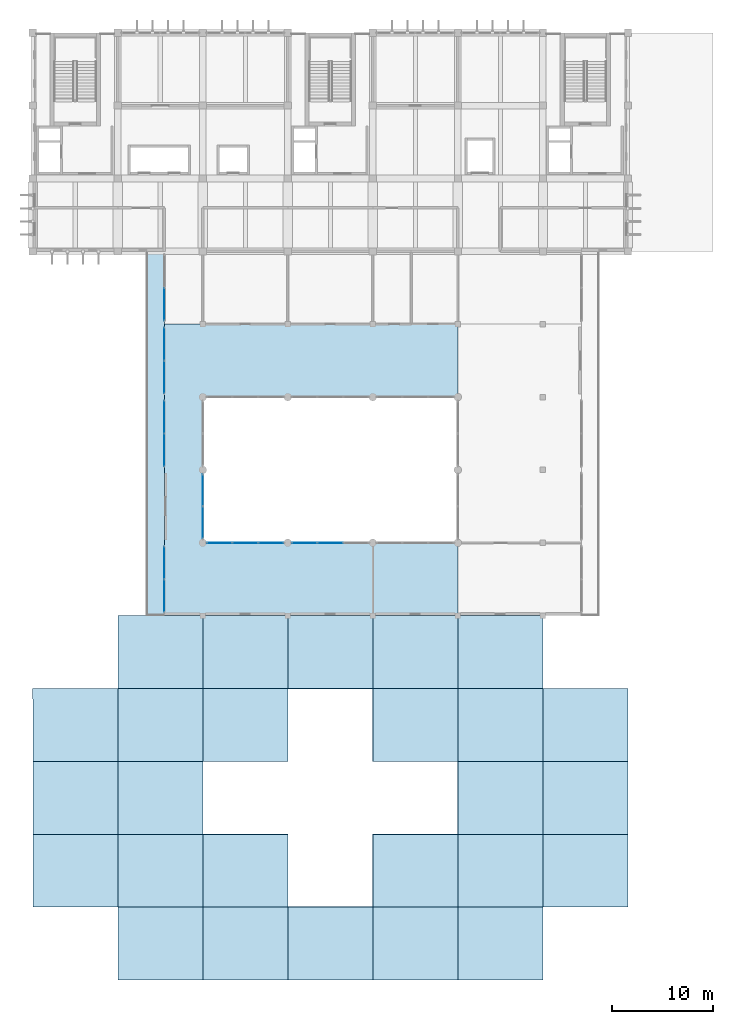
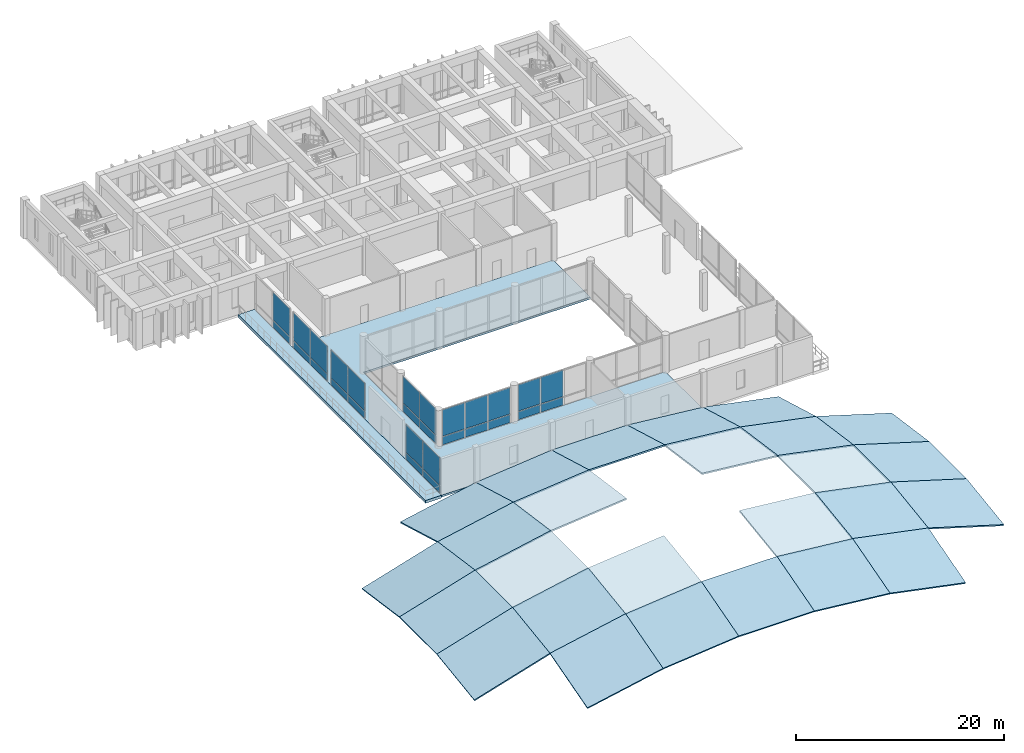
# One storey, part 8 of 17: 28 plates, 28 slabs, 7 elements without a shape of their own.
"""IFC4 building model written with IfcOpenShell, lengths in metres."""

from ifc_helpers import new_model, si_unit, direction, frame, origin, origin_2d, place, context, subcontext, project, spatial, polyline, rectangle, outline, extrude, material, layer, layer_set, type_object, element, aggregate, save


model = new_model("IFC4")

# Units and contexts
model_context = context("Model", 3, precision=1e-05, world=origin(), true_north=direction((0.0, 1.0)))
body_context = subcontext(model_context, "Body", "Model", "MODEL_VIEW")
ifc_project = project(units=[si_unit("LENGTHUNIT", "METRE"), si_unit("AREAUNIT", "SQUARE_METRE"), si_unit("VOLUMEUNIT", "CUBIC_METRE"), si_unit("PLANEANGLEUNIT", "RADIAN"), si_unit("MASSUNIT", "GRAM", prefix="KILO")], contexts=[model_context])

# Site, building, storey
site_placement = place(None, origin())
site = spatial("IfcSite", under=ifc_project, at=site_placement, CompositionType="ELEMENT")
building_placement = place(site_placement, origin())
building = spatial("IfcBuilding", under=site, at=building_placement, Name="Kenerak Square Central Library", CompositionType="ELEMENT")
storey_placement = place(building_placement, frame((0.0, 0.0, 23.360107421875)))
storey = spatial("IfcBuildingStorey", under=building, at=storey_placement, Name="L05", CompositionType="ELEMENT", Elevation=23.360107421875)

# Curtain wall, plates
ifc_material_1 = material(Name="Intumescent fire-resisting glazing EI 60", Category="glass")
curtain_wall_type_1 = type_object("IfcCurtainWallType", Name="Curtain Wall CW-AT60-76x42 7650x4255", PredefinedType="USERDEFINED", material=ifc_material_1)
curtain_wall_1_placement = place(storey_placement, origin())
curtain_wall_1 = element("IfcCurtainWall", 1, at=curtain_wall_1_placement, inside=storey, type_object=curtain_wall_type_1, Name="Atrium Fire-Rated Glazed Screen CW-AT60-76x42 L05 0187", ObjectType="CURTAIN WALL", PredefinedType="USERDEFINED")
ifc_layer_1 = layer(ifc_material_1, 0.0419921875)
ifc_layer_set_1 = layer_set([ifc_layer_1], Name="Intumescent fire-resisting glazing EI 60")
plate_type_1 = type_object("IfcPlateType", Name="Fire-Rated EI60 Atrium Glazing Panel CP-42", PredefinedType="CURTAIN_PANEL", material=ifc_layer_set_1)
plate_1_placement = place(storey_placement, frame((76.867431640625, 60.0, 0.06982421875), z_axis=(0.0, 0.0, 1.0), x_axis=(1.0, 0.0, 0.0)))
plate_1 = element("IfcPlate", 2, at=plate_1_placement, type_object=plate_type_1, Name="CW-AT60-76x42 Panel 1.1", PredefinedType="CURTAIN_PANEL", context=body_context, shape_type="SweptSolid", body=[
    extrude(rectangle(XDim=2.445068359375, YDim=0.0419921875, at=origin_2d()), origin(), (0.0, 0.0, 1.0), 0.945068359375),
])
plate_2_placement = place(storey_placement, frame((76.867431640625, 60.0, 1.0849609375), z_axis=(0.0, 0.0, 1.0), x_axis=(1.0, 0.0, 0.0)))
plate_2 = element("IfcPlate", 3, at=plate_2_placement, type_object=plate_type_1, Name="CW-AT60-76x42 Panel 1.2", PredefinedType="CURTAIN_PANEL", context=body_context, shape_type="SweptSolid", body=[
    extrude(rectangle(XDim=2.445068359375, YDim=0.0419921875, at=origin_2d()), origin(), (0.0, 0.0, 1.0), 3.10009765625),
])
plate_3_placement = place(storey_placement, frame((79.39990234375, 60.0, 0.06982421875), z_axis=(0.0, 0.0, 1.0), x_axis=(1.0, 0.0, 0.0)))
plate_3 = element("IfcPlate", 4, at=plate_3_placement, type_object=plate_type_1, Name="CW-AT60-76x42 Panel 2.1", PredefinedType="CURTAIN_PANEL", context=body_context, shape_type="SweptSolid", body=[
    extrude(rectangle(XDim=2.47998046875, YDim=0.0419921875, at=origin_2d()), origin(), (0.0, 0.0, 1.0), 0.945068359375),
])
plate_4_placement = place(storey_placement, frame((79.39990234375, 60.0, 1.0849609375), z_axis=(0.0, 0.0, 1.0), x_axis=(1.0, 0.0, 0.0)))
plate_4 = element("IfcPlate", 5, at=plate_4_placement, type_object=plate_type_1, Name="CW-AT60-76x42 Panel 2.2", PredefinedType="CURTAIN_PANEL", context=body_context, shape_type="SweptSolid", body=[
    extrude(rectangle(XDim=2.47998046875, YDim=0.0419921875, at=origin_2d()), origin(), (0.0, 0.0, 1.0), 3.10009765625),
])
plate_5_placement = place(storey_placement, frame((81.9326171875, 60.0, 0.06982421875), z_axis=(0.0, 0.0, 1.0), x_axis=(1.0, 0.0, 0.0)))
plate_5 = element("IfcPlate", 6, at=plate_5_placement, type_object=plate_type_1, Name="CW-AT60-76x42 Panel 3.1", PredefinedType="CURTAIN_PANEL", context=body_context, shape_type="SweptSolid", body=[
    extrude(rectangle(XDim=2.445068359375, YDim=0.0419921875, at=origin_2d()), origin(), (0.0, 0.0, 1.0), 0.945068359375),
])
plate_6_placement = place(storey_placement, frame((81.9326171875, 60.0, 1.0849609375), z_axis=(0.0, 0.0, 1.0), x_axis=(1.0, 0.0, 0.0)))
plate_6 = element("IfcPlate", 7, at=plate_6_placement, type_object=plate_type_1, Name="CW-AT60-76x42 Panel 3.2", PredefinedType="CURTAIN_PANEL", context=body_context, shape_type="SweptSolid", body=[
    extrude(rectangle(XDim=2.445068359375, YDim=0.0419921875, at=origin_2d()), origin(), (0.0, 0.0, 1.0), 3.10009765625),
])
aggregate(curtain_wall_1, [plate_1, plate_2, plate_3, plate_4, plate_5, plate_6])

curtain_wall_2_placement = place(storey_placement, origin())
curtain_wall_2 = element("IfcCurtainWall", 8, at=curtain_wall_2_placement, inside=storey, type_object=curtain_wall_type_1, Name="Atrium Fire-Rated Glazed Screen CW-AT60-76x42 L05 0188", ObjectType="CURTAIN WALL", PredefinedType="USERDEFINED")
plate_7_placement = place(storey_placement, frame((85.267578125, 60.0, 0.06982421875), z_axis=(0.0, 0.0, 1.0), x_axis=(1.0, 0.0, 0.0)))
plate_7 = element("IfcPlate", 9, at=plate_7_placement, type_object=plate_type_1, Name="CW-AT60-76x42 Panel 1.1", PredefinedType="CURTAIN_PANEL", context=body_context, shape_type="SweptSolid", body=[
    extrude(rectangle(XDim=2.445068359375, YDim=0.0419921875, at=origin_2d()), origin(), (0.0, 0.0, 1.0), 0.945068359375),
])
plate_8_placement = place(storey_placement, frame((85.267578125, 60.0, 1.0849609375), z_axis=(0.0, 0.0, 1.0), x_axis=(1.0, 0.0, 0.0)))
plate_8 = element("IfcPlate", 10, at=plate_8_placement, type_object=plate_type_1, Name="CW-AT60-76x42 Panel 1.2", PredefinedType="CURTAIN_PANEL", context=body_context, shape_type="SweptSolid", body=[
    extrude(rectangle(XDim=2.445068359375, YDim=0.0419921875, at=origin_2d()), origin(), (0.0, 0.0, 1.0), 3.10009765625),
])
plate_9_placement = place(storey_placement, frame((87.800048828125, 60.0, 0.06982421875), z_axis=(0.0, 0.0, 1.0), x_axis=(1.0, 0.0, 0.0)))
plate_9 = element("IfcPlate", 11, at=plate_9_placement, type_object=plate_type_1, Name="CW-AT60-76x42 Panel 2.1", PredefinedType="CURTAIN_PANEL", context=body_context, shape_type="SweptSolid", body=[
    extrude(rectangle(XDim=2.47998046875, YDim=0.0419921875, at=origin_2d()), origin(), (0.0, 0.0, 1.0), 0.945068359375),
])
plate_10_placement = place(storey_placement, frame((87.800048828125, 60.0, 1.0849609375), z_axis=(0.0, 0.0, 1.0), x_axis=(1.0, 0.0, 0.0)))
plate_10 = element("IfcPlate", 12, at=plate_10_placement, type_object=plate_type_1, Name="CW-AT60-76x42 Panel 2.2", PredefinedType="CURTAIN_PANEL", context=body_context, shape_type="SweptSolid", body=[
    extrude(rectangle(XDim=2.47998046875, YDim=0.0419921875, at=origin_2d()), origin(), (0.0, 0.0, 1.0), 3.10009765625),
])
aggregate(curtain_wall_2, [plate_7, plate_8, plate_9, plate_10])

curtain_wall_type_2 = type_object("IfcCurtainWallType", Name="Curtain Wall CW-AT60-64x42 6450x4255", PredefinedType="USERDEFINED", material=ifc_material_1)
curtain_wall_3_placement = place(storey_placement, origin())
curtain_wall_3 = element("IfcCurtainWall", 13, at=curtain_wall_3_placement, inside=storey, type_object=curtain_wall_type_2, Name="Atrium Fire-Rated Glazed Screen CW-AT60-64x42 L05 0196", ObjectType="CURTAIN WALL", PredefinedType="USERDEFINED")
plate_11_placement = place(storey_placement, frame((75.199951171875, 65.195068359375, 0.06982421875), z_axis=(0.0, 0.0, 1.0), x_axis=(0.0, -1.0, 0.0)))
plate_11 = element("IfcPlate", 14, at=plate_11_placement, type_object=plate_type_1, Name="CW-AT60-64x42 Panel 1.1", PredefinedType="CURTAIN_PANEL", context=body_context, shape_type="SweptSolid", body=[
    extrude(rectangle(XDim=3.1201171875, YDim=0.0419921875, at=origin_2d()), origin(), (0.0, 0.0, 1.0), 0.945068359375),
])
plate_12_placement = place(storey_placement, frame((75.199951171875, 65.195068359375, 1.0849609375), z_axis=(0.0, 0.0, 1.0), x_axis=(0.0, -1.0, 0.0)))
plate_12 = element("IfcPlate", 15, at=plate_12_placement, type_object=plate_type_1, Name="CW-AT60-64x42 Panel 1.2", PredefinedType="CURTAIN_PANEL", context=body_context, shape_type="SweptSolid", body=[
    extrude(rectangle(XDim=3.1201171875, YDim=0.0419921875, at=origin_2d()), origin(), (0.0, 0.0, 1.0), 3.10009765625),
])
plate_13_placement = place(storey_placement, frame((75.199951171875, 62.0048828125, 0.06982421875), z_axis=(0.0, 0.0, 1.0), x_axis=(0.0, -1.0, 0.0)))
plate_13 = element("IfcPlate", 16, at=plate_13_placement, type_object=plate_type_1, Name="CW-AT60-64x42 Panel 2.1", PredefinedType="CURTAIN_PANEL", context=body_context, shape_type="SweptSolid", body=[
    extrude(rectangle(XDim=3.1201171875, YDim=0.0419921875, at=origin_2d()), origin(), (0.0, 0.0, 1.0), 0.945068359375),
])
plate_14_placement = place(storey_placement, frame((75.199951171875, 62.0048828125, 1.0849609375), z_axis=(0.0, 0.0, 1.0), x_axis=(0.0, -1.0, 0.0)))
plate_14 = element("IfcPlate", 17, at=plate_14_placement, type_object=plate_type_1, Name="CW-AT60-64x42 Panel 2.2", PredefinedType="CURTAIN_PANEL", context=body_context, shape_type="SweptSolid", body=[
    extrude(rectangle(XDim=3.1201171875, YDim=0.0419921875, at=origin_2d()), origin(), (0.0, 0.0, 1.0), 3.10009765625),
])
aggregate(curtain_wall_3, [plate_11, plate_12, plate_13, plate_14])

# Slabs
ifc_material_2 = material(Name="Concrete C40/50", Category="concrete")
ifc_layer_2 = layer(ifc_material_2, 0.22509765625)
ifc_layer_set_2 = layer_set([ifc_layer_2], Name="Concrete C40/50")
slab_type_1 = type_object("IfcSlabType", Name="General Reading Room Slab FS-225 C40/50", PredefinedType="FLOOR", material=ifc_layer_set_2)
slab_1_placement = place(storey_placement, frame((0.0, 0.0, -0.22509765625)))
element("IfcSlab", 18, at=slab_1_placement, inside=storey, type_object=slab_type_1, Name="V4 Floor Slab L05 056", PredefinedType="FLOOR", context=body_context, shape_type="SweptSolid", body=[
    extrude(outline(polyline([(100.39990234375, 52.800048828125), (71.39990234375, 52.800048828125), (71.39990234375, 81.60009765625), (100.39990234375, 81.60009765625), (100.39990234375, 74.39990234375), (75.199951171875, 74.39990234375), (75.199951171875, 60.0), (100.39990234375, 60.0), (100.39990234375, 52.800048828125)])), origin(), (0.0, 0.0, 1.0), 0.22509765625),
])
ifc_material_3 = material(Name="Steel S355", Category="steel")
ifc_layer_3 = layer(ifc_material_3, 0.159912109375)
ifc_layer_set_3 = layer_set([ifc_layer_3], Name="Steel S355")
slab_type_2 = type_object("IfcSlabType", Name="Gridshell Insulated Planar Roof Panel RS-160 S355", PredefinedType="ROOF", material=ifc_layer_set_3)
slab_2_placement = place(storey_placement, frame((58.39990234375, 24.0, -2.01220703125), z_axis=(-0.287512685456, -0.134867132813, 0.948233785619), x_axis=(0.956976952027, 1.778462e-06, 0.290163942084)))
element("IfcSlab", 19, at=slab_2_placement, inside=storey, type_object=slab_type_2, Name="Gridshell Roof Panel 1-2", PredefinedType="ROOF", context=body_context, shape_type="SweptSolid", body=[
    extrude(outline(polyline([(0.0, 0.0), (8.777828709999847, -1.1102230246251565e-16), (9.074947855925817, 7.266322390495655), (0.29718998673214375, 7.266353900316543), (0.0, 0.0)])), origin(), (0.0, 0.0, -1.0), 0.159912109375),
])
slab_3_placement = place(storey_placement, frame((58.39990234375, 31.199951171875, -0.988037109375), z_axis=(-0.29015097451, 0.0, 0.956980883817), x_axis=(0.956980883817, 0.0, 0.29015097451)))
element("IfcSlab", 20, at=slab_3_placement, inside=storey, type_object=slab_type_2, Name="Gridshell Roof Panel 1-3", PredefinedType="ROOF", context=body_context, shape_type="SweptSolid", body=[
    extrude(outline(polyline([(0.0, 0.0), (8.777757870013428, 0.0), (8.777757870013428, 7.199951171875), (0.0, 7.199951171875), (0.0, 0.0)])), origin(), (0.0, 0.0, -1.0), 0.159912109375),
])
slab_4_placement = place(storey_placement, frame((58.39990234375, 38.39990234375, -0.988037109375), z_axis=(-0.287512862776, 0.13486264298, 0.948234370431), x_axis=(0.956977092501, 1.778418e-06, 0.290163478791)))
element("IfcSlab", 21, at=slab_4_placement, inside=storey, type_object=slab_type_2, Name="Gridshell Roof Panel 1-4", PredefinedType="ROOF", context=body_context, shape_type="SweptSolid", body=[
    extrude(outline(polyline([(0.0, 0.0), (8.77775786925023, -5.551115123125783e-17), (8.480664807494872, 7.2665653676901485), (-0.29716390244842233, 7.266596876716341), (0.0, 0.0)])), origin(), (0.0, 0.0, -1.0), 0.159912109375),
])
slab_5_placement = place(storey_placement, frame((66.800048828125, 16.800048828125, -1.51318359375), z_axis=(-0.190857452976, -0.268575794869, 0.944161254794), x_axis=(0.980174274695, 0.0, 0.198137303973)))
element("IfcSlab", 22, at=slab_5_placement, inside=storey, type_object=slab_type_2, Name="Gridshell Roof Panel 2-1", PredefinedType="ROOF", context=body_context, shape_type="SweptSolid", body=[
    extrude(outline(polyline([(0.0, 0.0), (8.569804942455113, 5.551115123125783e-17), (8.975609103351571, 7.474577972671261), (0.40580416089645976, 7.474577972671261), (0.0, 0.0)])), origin(), (0.0, 0.0, -1.0), 0.159912109375),
])
slab_6_placement = place(storey_placement, frame((66.800048828125, 24.0, 0.534912109375), z_axis=(-0.196239953948, -0.138058582798, 0.970788189149), x_axis=(0.980174274695, 0.0, 0.198137303973)))
element("IfcSlab", 23, at=slab_6_placement, inside=storey, type_object=slab_type_2, Name="Gridshell Roof Panel 2-2", PredefinedType="ROOF", context=body_context, shape_type="SweptSolid", body=[
    extrude(outline(polyline([(0.0, 0.0), (8.569804942455113, -2.7755575615628914e-17), (8.772682836220728, 7.269564047665709), (0.20287789376561596, 7.269564047665709), (0.0, 0.0)])), origin(), (0.0, 0.0, -1.0), 0.159912109375),
])
slab_7_placement = place(storey_placement, frame((66.800048828125, 31.199951171875, 1.558837890625), z_axis=(-0.198137303973, 0.0, 0.980174274695), x_axis=(0.980174274695, 0.0, 0.198137303973)))
element("IfcSlab", 24, at=slab_7_placement, inside=storey, type_object=slab_type_2, Name="Gridshell Roof Panel 2-3", PredefinedType="ROOF", context=body_context, shape_type="SweptSolid", body=[
    extrude(outline(polyline([(0.0, 0.0), (8.569804942455113, 0.0), (8.569804942455113, 7.199951171875), (0.0, 7.199951171875), (0.0, 0.0)])), origin(), (0.0, 0.0, -1.0), 0.159912109375),
])
slab_8_placement = place(storey_placement, frame((66.800048828125, 38.39990234375, 1.558837890625), z_axis=(-0.196240080772, 0.138053990797, 0.970788816542), x_axis=(0.980174274695, 0.0, 0.198137303973)))
element("IfcSlab", 25, at=slab_8_placement, inside=storey, type_object=slab_type_2, Name="Gridshell Roof Panel 2-4", PredefinedType="ROOF", context=body_context, shape_type="SweptSolid", body=[
    extrude(outline(polyline([(0.0, 0.0), (8.569804942455113, 2.7755575615628914e-17), (8.366927048689496, 7.26980585049399), (-0.20287789376561596, 7.26980585049399), (0.0, 0.0)])), origin(), (0.0, 0.0, -1.0), 0.159912109375),
])
slab_9_placement = place(storey_placement, frame((66.800048828125, 45.60009765625, 0.534912109375), z_axis=(-0.190857452976, 0.268575794869, 0.944161254794), x_axis=(0.980174274695, 0.0, 0.198137303973)))
element("IfcSlab", 26, at=slab_9_placement, inside=storey, type_object=slab_type_2, Name="Gridshell Roof Panel 2-5", PredefinedType="ROOF", context=body_context, shape_type="SweptSolid", body=[
    extrude(outline(polyline([(0.0, 0.0), (8.569804942455113, -5.551115123125783e-17), (8.164000781558652, 7.47457797267126), (-0.40580416089645976, 7.474577972671261), (0.0, 0.0)])), origin(), (0.0, 0.0, -1.0), 0.159912109375),
])
slab_10_placement = place(storey_placement, frame((75.199951171875, 16.800048828125, 0.184814453125), z_axis=(-0.096743044553, -0.272321896402, 0.957330438287), x_axis=(0.994932719565, 0.0, 0.100542943759)))
element("IfcSlab", 27, at=slab_10_placement, inside=storey, type_object=slab_type_2, Name="Gridshell Roof Panel 3-1", PredefinedType="ROOF", context=body_context, shape_type="SweptSolid", body=[
    extrude(outline(polyline([(0.0, 0.0), (8.442929174196857, -2.7755575615628914e-17), (8.648850745289812, 7.482752781771017), (0.2059215710929541, 7.482752781771016), (0.0, 0.0)])), origin(), (0.0, 0.0, -1.0), 0.159912109375),
])
slab_11_placement = place(storey_placement, frame((75.199951171875, 24.0, 2.23291015625), z_axis=(-0.099551370021, -0.140096822381, 0.985120502825), x_axis=(0.994932719565, 0.0, 0.100542943759)))
element("IfcSlab", 28, at=slab_11_placement, inside=storey, type_object=slab_type_2, Name="Gridshell Roof Panel 3-2", PredefinedType="ROOF", context=body_context, shape_type="SweptSolid", body=[
    extrude(outline(polyline([(0.0, 0.0), (8.442929174196857, -1.3877787807814457e-17), (8.545877686434771, 7.271665729853141), (0.10294851223791268, 7.27166572985314), (0.0, 0.0)])), origin(), (0.0, 0.0, -1.0), 0.159912109375),
])
slab_12_placement = place(storey_placement, frame((75.199951171875, 38.39990234375, 3.2568359375), z_axis=(-0.099551436272, 0.140092165279, 0.985121158418), x_axis=(0.994932719565, 0.0, 0.100542943759)))
element("IfcSlab", 29, at=slab_12_placement, inside=storey, type_object=slab_type_2, Name="Gridshell Roof Panel 3-4", PredefinedType="ROOF", context=body_context, shape_type="SweptSolid", body=[
    extrude(outline(polyline([(0.0, 0.0), (8.442929174196857, 1.3877787807814457e-17), (8.339980661958945, 7.2719074627970475), (-0.10294851223791268, 7.2719074627970475), (0.0, 0.0)])), origin(), (0.0, 0.0, -1.0), 0.159912109375),
])
slab_13_placement = place(storey_placement, frame((75.199951171875, 45.60009765625, 2.23291015625), z_axis=(-0.096743044553, 0.272321896402, 0.957330438287), x_axis=(0.994932719565, 0.0, 0.100542943759)))
element("IfcSlab", 30, at=slab_13_placement, inside=storey, type_object=slab_type_2, Name="Gridshell Roof Panel 3-5", PredefinedType="ROOF", context=body_context, shape_type="SweptSolid", body=[
    extrude(outline(polyline([(0.0, 0.0), (8.442929174196857, 2.7755575615628914e-17), (8.237007603103903, 7.482752781771016), (-0.2059215710929541, 7.482752781771016), (0.0, 0.0)])), origin(), (0.0, 0.0, -1.0), 0.159912109375),
])
for number, where, z_axis, x_axis, name in (
    (31, (83.60009765625, 16.800048828125, 1.03369140625), (0.0, -0.273605271819, 0.96184206356), (1.0, 0.0, 0.0), "Gridshell Roof Panel 4-1"),
    (32, (83.60009765625, 45.60009765625, 3.081787109375), (0.0, 0.273605271819, 0.96184206356), (1.0, 0.0, 0.0), "Gridshell Roof Panel 4-5"),
):
    element("IfcSlab", number, at=place(storey_placement, frame(where, z_axis=z_axis, x_axis=x_axis)), inside=storey, type_object=slab_type_2, Name=name, PredefinedType="ROOF", context=body_context, shape_type="SweptSolid", body=[
        extrude(outline(polyline([(0.0, 0.0), (8.39990234375, 0.0), (8.39990234375, 7.48558567425043), (0.0, 7.48558567425043), (0.0, 0.0)])), origin(), (0.0, 0.0, -1.0), 0.159912109375),
    ])
slab_14_placement = place(storey_placement, frame((92.0, 16.800048828125, 1.03369140625), z_axis=(0.096745830043, -0.272321822323, 0.957330177868), x_axis=(0.994932427238, 0.0, -0.100545836468)))
element("IfcSlab", 33, at=slab_14_placement, inside=storey, type_object=slab_type_2, Name="Gridshell Roof Panel 5-1", PredefinedType="ROOF", context=body_context, shape_type="SweptSolid", body=[
    extrude(outline(polyline([(0.0, 0.0), (8.442686270736557, 0.0), (8.23675877510009, 7.482752618728229), (-0.20592749563646615, 7.482752618728229), (0.0, 0.0)])), origin(), (0.0, 0.0, -1.0), 0.159912109375),
])
slab_15_placement = place(storey_placement, frame((92.0, 24.0, 3.081787109375), z_axis=(0.099554234775, -0.140096782027, 0.985120219062), x_axis=(0.994932427238, 0.0, -0.100545836468)))
element("IfcSlab", 34, at=slab_15_placement, inside=storey, type_object=slab_type_2, Name="Gridshell Roof Panel 5-2", PredefinedType="ROOF", context=body_context, shape_type="SweptSolid", body=[
    extrude(outline(polyline([(0.0, 0.0), (8.442686270736557, -1.3877787807814457e-17), (8.339734796580002, 7.271665687919214), (-0.1029514741565549, 7.271665687919214), (0.0, 0.0)])), origin(), (0.0, 0.0, -1.0), 0.159912109375),
])
slab_16_placement = place(storey_placement, frame((92.0, 38.39990234375, 4.105712890625), z_axis=(0.099554301028, 0.140092124925, 0.985120874655), x_axis=(0.994932427238, 0.0, -0.100545836468)))
element("IfcSlab", 35, at=slab_16_placement, inside=storey, type_object=slab_type_2, Name="Gridshell Roof Panel 5-4", PredefinedType="ROOF", context=body_context, shape_type="SweptSolid", body=[
    extrude(outline(polyline([(0.0, 0.0), (8.442686270736557, 1.3877787807814457e-17), (8.545637744893112, 7.2719074208645145), (0.1029514741565549, 7.2719074208645145), (0.0, 0.0)])), origin(), (0.0, 0.0, -1.0), 0.159912109375),
])
slab_17_placement = place(storey_placement, frame((92.0, 45.60009765625, 3.081787109375), z_axis=(0.096745830043, 0.272321822323, 0.957330177868), x_axis=(0.994932427238, 0.0, -0.100545836468)))
element("IfcSlab", 36, at=slab_17_placement, inside=storey, type_object=slab_type_2, Name="Gridshell Roof Panel 5-5", PredefinedType="ROOF", context=body_context, shape_type="SweptSolid", body=[
    extrude(outline(polyline([(0.0, 0.0), (8.442686270736557, 0.0), (8.648613766373023, 7.48275261872823), (0.20592749563646615, 7.482752618728229), (0.0, 0.0)])), origin(), (0.0, 0.0, -1.0), 0.159912109375),
])
slab_18_placement = place(storey_placement, frame((100.39990234375, 16.800048828125, 0.184814453125), z_axis=(0.190852107975, -0.268576079205, 0.944162254361), x_axis=(0.98017539306, 0.0, -0.198131771405)))
element("IfcSlab", 37, at=slab_18_placement, inside=storey, type_object=slab_type_2, Name="Gridshell Roof Panel 6-1", PredefinedType="ROOF", context=body_context, shape_type="SweptSolid", body=[
    extrude(outline(polyline([(0.0, 0.0), (8.570044242951665, -5.551115123125783e-17), (8.164251413284596, 7.474578587849223), (-0.4057928296670689, 7.474578587849222), (0.0, 0.0)])), origin(), (0.0, 0.0, -1.0), 0.159912109375),
])
slab_19_placement = place(storey_placement, frame((100.39990234375, 24.0, 2.23291015625), z_axis=(0.196234470091, -0.138058737318, 0.970789275692), x_axis=(0.98017539306, 0.0, -0.198131771405)))
element("IfcSlab", 38, at=slab_19_placement, inside=storey, type_object=slab_type_2, Name="Gridshell Roof Panel 6-2", PredefinedType="ROOF", context=body_context, shape_type="SweptSolid", body=[
    extrude(outline(polyline([(0.0, 0.0), (8.570044242951665, 0.0), (8.367172014125384, 7.269564205759771), (-0.2028722288262829, 7.26956420575977), (0.0, 0.0)])), origin(), (0.0, 0.0, -1.0), 0.159912109375),
])
slab_20_placement = place(storey_placement, frame((100.39990234375, 31.199951171875, 3.2568359375), z_axis=(0.198131771405, 0.0, 0.98017539306), x_axis=(0.98017539306, 0.0, -0.198131771405)))
element("IfcSlab", 39, at=slab_20_placement, inside=storey, type_object=slab_type_2, Name="Gridshell Roof Panel 6-3", PredefinedType="ROOF", context=body_context, shape_type="SweptSolid", body=[
    extrude(outline(polyline([(0.0, 0.0), (8.570044242951665, 0.0), (8.570044242951665, 7.199951171875), (0.0, 7.199951171875), (0.0, 0.0)])), origin(), (0.0, 0.0, -1.0), 0.159912109375),
])
slab_21_placement = place(storey_placement, frame((100.39990234375, 38.39990234375, 3.2568359375), z_axis=(0.196234596913, 0.138054145312, 0.970789903087), x_axis=(0.98017539306, 0.0, -0.198131771405)))
element("IfcSlab", 40, at=slab_21_placement, inside=storey, type_object=slab_type_2, Name="Gridshell Roof Panel 6-4", PredefinedType="ROOF", context=body_context, shape_type="SweptSolid", body=[
    extrude(outline(polyline([(0.0, 0.0), (8.570044242951665, 2.7755575615628914e-17), (8.772916471777949, 7.269806008582792), (0.2028722288262829, 7.269806008582792), (0.0, 0.0)])), origin(), (0.0, 0.0, -1.0), 0.159912109375),
])
slab_22_placement = place(storey_placement, frame((100.39990234375, 45.60009765625, 2.23291015625), z_axis=(0.190852107975, 0.268576079205, 0.944162254361), x_axis=(0.98017539306, 0.0, -0.198131771405)))
element("IfcSlab", 41, at=slab_22_placement, inside=storey, type_object=slab_type_2, Name="Gridshell Roof Panel 6-5", PredefinedType="ROOF", context=body_context, shape_type="SweptSolid", body=[
    extrude(outline(polyline([(0.0, 0.0), (8.570044242951665, 5.551115123125783e-17), (8.975837072618734, 7.474578587849222), (0.4057928296670689, 7.474578587849222), (0.0, 0.0)])), origin(), (0.0, 0.0, -1.0), 0.159912109375),
])
slab_23_placement = place(storey_placement, frame((108.800048828125, 24.0, 0.534912109375), z_axis=(0.287520351122, -0.134866808779, 0.948231507376), x_axis=(0.956974610178, -1.7785e-06, -0.29017166552)))
element("IfcSlab", 42, at=slab_23_placement, inside=storey, type_object=slab_type_2, Name="Gridshell Roof Panel 7-2", PredefinedType="ROOF", context=body_context, shape_type="SweptSolid", body=[
    extrude(outline(polyline([(0.0, 0.0), (8.777595074260189, -5.551115123125783e-17), (8.480397177137801, 7.266353576781506), (-0.29712705443060944, 7.26632206711344), (0.0, 0.0)])), origin(), (0.0, 0.0, -1.0), 0.159912109375),
])
slab_24_placement = place(storey_placement, frame((108.800048828125, 31.199951171875, 1.558837890625), z_axis=(0.290158697666, 0.0, 0.956978542167), x_axis=(0.956978542167, 0.0, -0.290158697666)))
element("IfcSlab", 43, at=slab_24_placement, inside=storey, type_object=slab_type_2, Name="Gridshell Roof Panel 7-3", PredefinedType="ROOF", context=body_context, shape_type="SweptSolid", body=[
    extrude(outline(polyline([(0.0, 0.0), (8.777524232388183, 0.0), (8.777524232388183, 7.199951171875002), (0.0, 7.199951171875002), (0.0, 0.0)])), origin(), (0.0, 0.0, -1.0), 0.159912109375),
])
slab_25_placement = place(storey_placement, frame((108.800048828125, 38.39990234375, 1.558837890625), z_axis=(0.287520528446, 0.134862318957, 0.948232092184), x_axis=(0.956974750659, -1.778457e-06, -0.290171202219)))
element("IfcSlab", 44, at=slab_25_placement, inside=storey, type_object=slab_type_2, Name="Gridshell Roof Panel 7-4", PredefinedType="ROOF", context=body_context, shape_type="SweptSolid", body=[
    extrude(outline(polyline([(0.0, 0.0), (8.777524231624966, 0.0), (9.074696043897, 7.266596553243691), (0.2971009696933669, 7.266565044370302), (0.0, 0.0)])), origin(), (0.0, 0.0, -1.0), 0.159912109375),
])

# Curtain wall, plates
ifc_material_4 = material(Name="Anodised aluminium and solar-control low-E glazing", Category="aluminium")
curtain_wall_type_3 = type_object("IfcCurtainWallType", Name="Curtain Wall CW-V4-66x42 6600x4255", PredefinedType="USERDEFINED", material=ifc_material_4)
curtain_wall_4_placement = place(storey_placement, origin())
curtain_wall_4 = element("IfcCurtainWall", 45, at=curtain_wall_4_placement, inside=storey, type_object=curtain_wall_type_3, Name="Curtain Wall CW-V4-66x42 L05 0151", ObjectType="CURTAIN WALL", PredefinedType="USERDEFINED")
ifc_material_5 = material(Name="Solar-control low-E laminated double glazing", Category="glass")
ifc_layer_4 = layer(ifc_material_5, 0.02392578125)
ifc_layer_set_4 = layer_set([ifc_layer_4], Name="Solar-control low-E laminated double glazing")
plate_type_2 = type_object("IfcPlateType", Name="Low-E Double Glazed Curtain Panel CP-24", PredefinedType="CURTAIN_PANEL", material=ifc_layer_set_4)
plate_15_placement = place(storey_placement, frame((71.39990234375, 54.766357421875, 0.06494140625), z_axis=(0.0, 0.0, 1.0), x_axis=(0.0, 1.0, 0.0)))
plate_15 = element("IfcPlate", 46, at=plate_15_placement, type_object=plate_type_2, Name="CW-V4-66x42 Panel 1.1", PredefinedType="CURTAIN_PANEL", context=body_context, shape_type="SweptSolid", body=[
    extrude(rectangle(XDim=3.202392578125, YDim=0.02392578125, at=origin_2d()), origin(), (0.0, 0.0, 1.0), 0.802490234375),
])
plate_16_placement = place(storey_placement, frame((71.39990234375, 54.766357421875, 0.93212890625), z_axis=(0.0, 0.0, 1.0), x_axis=(0.0, 1.0, 0.0)))
plate_16 = element("IfcPlate", 47, at=plate_16_placement, type_object=plate_type_2, Name="CW-V4-66x42 Panel 1.2", PredefinedType="CURTAIN_PANEL", context=body_context, shape_type="SweptSolid", body=[
    extrude(rectangle(XDim=3.202392578125, YDim=0.02392578125, at=origin_2d()), origin(), (0.0, 0.0, 1.0), 3.257568359375),
])
plate_17_placement = place(storey_placement, frame((71.39990234375, 58.03369140625, 0.06494140625), z_axis=(0.0, 0.0, 1.0), x_axis=(0.0, 1.0, 0.0)))
plate_17 = element("IfcPlate", 48, at=plate_17_placement, type_object=plate_type_2, Name="CW-V4-66x42 Panel 2.1", PredefinedType="CURTAIN_PANEL", context=body_context, shape_type="SweptSolid", body=[
    extrude(rectangle(XDim=3.202392578125, YDim=0.02392578125, at=origin_2d()), origin(), (0.0, 0.0, 1.0), 0.802490234375),
])
plate_18_placement = place(storey_placement, frame((71.39990234375, 58.03369140625, 0.93212890625), z_axis=(0.0, 0.0, 1.0), x_axis=(0.0, 1.0, 0.0)))
plate_18 = element("IfcPlate", 49, at=plate_18_placement, type_object=plate_type_2, Name="CW-V4-66x42 Panel 2.2", PredefinedType="CURTAIN_PANEL", context=body_context, shape_type="SweptSolid", body=[
    extrude(rectangle(XDim=3.202392578125, YDim=0.02392578125, at=origin_2d()), origin(), (0.0, 0.0, 1.0), 3.257568359375),
])
aggregate(curtain_wall_4, [plate_15, plate_16, plate_17, plate_18])

curtain_wall_5_placement = place(storey_placement, origin())
curtain_wall_5 = element("IfcCurtainWall", 50, at=curtain_wall_5_placement, inside=storey, type_object=curtain_wall_type_3, Name="Curtain Wall CW-V4-66x42 L05 0152", ObjectType="CURTAIN WALL", PredefinedType="USERDEFINED")
plate_19_placement = place(storey_placement, frame((71.39990234375, 69.166259765625, 0.06494140625), z_axis=(0.0, 0.0, 1.0), x_axis=(0.0, 1.0, 0.0)))
plate_19 = element("IfcPlate", 51, at=plate_19_placement, type_object=plate_type_2, Name="CW-V4-66x42 Panel 1.1", PredefinedType="CURTAIN_PANEL", context=body_context, shape_type="SweptSolid", body=[
    extrude(rectangle(XDim=3.202392578125, YDim=0.02392578125, at=origin_2d()), origin(), (0.0, 0.0, 1.0), 0.802490234375),
])
plate_20_placement = place(storey_placement, frame((71.39990234375, 69.166259765625, 0.93212890625), z_axis=(0.0, 0.0, 1.0), x_axis=(0.0, 1.0, 0.0)))
plate_20 = element("IfcPlate", 52, at=plate_20_placement, type_object=plate_type_2, Name="CW-V4-66x42 Panel 1.2", PredefinedType="CURTAIN_PANEL", context=body_context, shape_type="SweptSolid", body=[
    extrude(rectangle(XDim=3.202392578125, YDim=0.02392578125, at=origin_2d()), origin(), (0.0, 0.0, 1.0), 3.257568359375),
])
plate_21_placement = place(storey_placement, frame((71.39990234375, 72.433837890625, 0.06494140625), z_axis=(0.0, 0.0, 1.0), x_axis=(0.0, 1.0, 0.0)))
plate_21 = element("IfcPlate", 53, at=plate_21_placement, type_object=plate_type_2, Name="CW-V4-66x42 Panel 2.1", PredefinedType="CURTAIN_PANEL", context=body_context, shape_type="SweptSolid", body=[
    extrude(rectangle(XDim=3.202392578125, YDim=0.02392578125, at=origin_2d()), origin(), (0.0, 0.0, 1.0), 0.802490234375),
])
plate_22_placement = place(storey_placement, frame((71.39990234375, 72.433837890625, 0.93212890625), z_axis=(0.0, 0.0, 1.0), x_axis=(0.0, 1.0, 0.0)))
plate_22 = element("IfcPlate", 54, at=plate_22_placement, type_object=plate_type_2, Name="CW-V4-66x42 Panel 2.2", PredefinedType="CURTAIN_PANEL", context=body_context, shape_type="SweptSolid", body=[
    extrude(rectangle(XDim=3.202392578125, YDim=0.02392578125, at=origin_2d()), origin(), (0.0, 0.0, 1.0), 3.257568359375),
])
aggregate(curtain_wall_5, [plate_19, plate_20, plate_21, plate_22])

curtain_wall_6_placement = place(storey_placement, origin())
curtain_wall_6 = element("IfcCurtainWall", 55, at=curtain_wall_6_placement, inside=storey, type_object=curtain_wall_type_3, Name="Curtain Wall CW-V4-66x42 L05 0153", ObjectType="CURTAIN WALL", PredefinedType="USERDEFINED")
plate_23_placement = place(storey_placement, frame((71.39990234375, 76.3662109375, 0.06494140625), z_axis=(0.0, 0.0, 1.0), x_axis=(0.0, 1.0, 0.0)))
plate_23 = element("IfcPlate", 56, at=plate_23_placement, type_object=plate_type_2, Name="CW-V4-66x42 Panel 1.1", PredefinedType="CURTAIN_PANEL", context=body_context, shape_type="SweptSolid", body=[
    extrude(rectangle(XDim=3.202392578125, YDim=0.02392578125, at=origin_2d()), origin(), (0.0, 0.0, 1.0), 0.802490234375),
])
plate_24_placement = place(storey_placement, frame((71.39990234375, 76.3662109375, 0.93212890625), z_axis=(0.0, 0.0, 1.0), x_axis=(0.0, 1.0, 0.0)))
plate_24 = element("IfcPlate", 57, at=plate_24_placement, type_object=plate_type_2, Name="CW-V4-66x42 Panel 1.2", PredefinedType="CURTAIN_PANEL", context=body_context, shape_type="SweptSolid", body=[
    extrude(rectangle(XDim=3.202392578125, YDim=0.02392578125, at=origin_2d()), origin(), (0.0, 0.0, 1.0), 3.257568359375),
])
plate_25_placement = place(storey_placement, frame((71.39990234375, 79.6337890625, 0.06494140625), z_axis=(0.0, 0.0, 1.0), x_axis=(0.0, 1.0, 0.0)))
plate_25 = element("IfcPlate", 58, at=plate_25_placement, type_object=plate_type_2, Name="CW-V4-66x42 Panel 2.1", PredefinedType="CURTAIN_PANEL", context=body_context, shape_type="SweptSolid", body=[
    extrude(rectangle(XDim=3.202392578125, YDim=0.02392578125, at=origin_2d()), origin(), (0.0, 0.0, 1.0), 0.802490234375),
])
plate_26_placement = place(storey_placement, frame((71.39990234375, 79.6337890625, 0.93212890625), z_axis=(0.0, 0.0, 1.0), x_axis=(0.0, 1.0, 0.0)))
plate_26 = element("IfcPlate", 59, at=plate_26_placement, type_object=plate_type_2, Name="CW-V4-66x42 Panel 2.2", PredefinedType="CURTAIN_PANEL", context=body_context, shape_type="SweptSolid", body=[
    extrude(rectangle(XDim=3.202392578125, YDim=0.02392578125, at=origin_2d()), origin(), (0.0, 0.0, 1.0), 3.257568359375),
])
aggregate(curtain_wall_6, [plate_23, plate_24, plate_25, plate_26])

curtain_wall_7_placement = place(storey_placement, origin())
curtain_wall_7 = element("IfcCurtainWall", 60, at=curtain_wall_7_placement, inside=storey, type_object=curtain_wall_type_3, Name="Curtain Wall CW-V4-66x42 L05 0154", ObjectType="CURTAIN WALL", PredefinedType="USERDEFINED")
plate_27_placement = place(storey_placement, frame((71.39990234375, 83.566162109375, 0.06494140625), z_axis=(0.0, 0.0, 1.0), x_axis=(0.0, 1.0, 0.0)))
plate_27 = element("IfcPlate", 61, at=plate_27_placement, type_object=plate_type_2, Name="CW-V4-66x42 Panel 1.1", PredefinedType="CURTAIN_PANEL", context=body_context, shape_type="SweptSolid", body=[
    extrude(rectangle(XDim=3.202392578125, YDim=0.02392578125, at=origin_2d()), origin(), (0.0, 0.0, 1.0), 0.802490234375),
])
plate_28_placement = place(storey_placement, frame((71.39990234375, 83.566162109375, 0.93212890625), z_axis=(0.0, 0.0, 1.0), x_axis=(0.0, 1.0, 0.0)))
plate_28 = element("IfcPlate", 62, at=plate_28_placement, type_object=plate_type_2, Name="CW-V4-66x42 Panel 1.2", PredefinedType="CURTAIN_PANEL", context=body_context, shape_type="SweptSolid", body=[
    extrude(rectangle(XDim=3.202392578125, YDim=0.02392578125, at=origin_2d()), origin(), (0.0, 0.0, 1.0), 3.257568359375),
])
aggregate(curtain_wall_7, [plate_27, plate_28])

# Slab
ifc_layer_5 = layer(ifc_material_2, 0.324951171875)
ifc_layer_set_5 = layer_set([ifc_layer_5], Name="Concrete C40/50")
slab_type_3 = type_object("IfcSlabType", Name="Planted Reading Terrace Slab TS-325 C40/50", PredefinedType="FLOOR", material=ifc_layer_set_5)
slab_26_placement = place(storey_placement, frame((0.0, 0.0, -0.3251953125)))
element("IfcSlab", 63, at=slab_26_placement, inside=storey, type_object=slab_type_3, Name="Upper West Reading Terrace L05", PredefinedType="FLOOR", context=body_context, shape_type="SweptSolid", body=[
    extrude(outline(polyline([(69.60009765625, 52.800048828125), (71.39990234375, 52.800048828125), (71.39990234375, 88.800048828125), (69.60009765625, 88.800048828125), (69.60009765625, 52.800048828125)])), origin(), (0.0, 0.0, 1.0), 0.3251953125),
])

save(model, "model.ifc")
